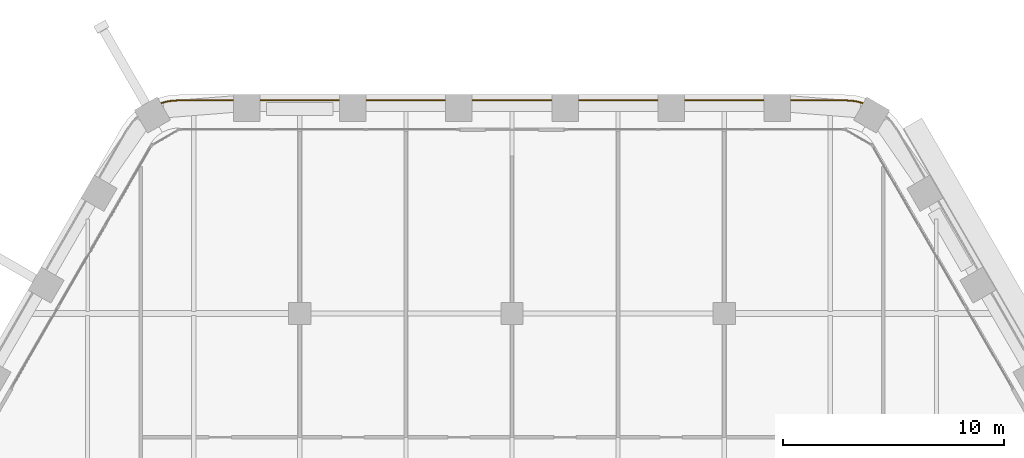
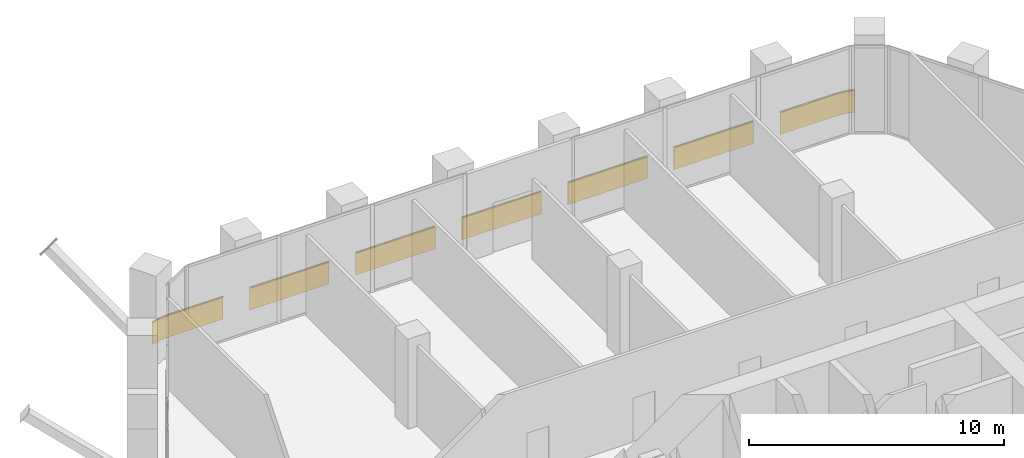
# One storey, part 27 of 27: 1 railing.
"""IFC4 building model written with IfcOpenShell, lengths in metres."""

from ifc_helpers import new_model, si_unit, direction, frame, frame_2d, origin, origin_2d, place, context, subcontext, project, spatial, rectangle, extrude, material, type_object, element, save


model = new_model("IFC4")

# Units and contexts
model_context = context("Model", 3, precision=1e-05, world=origin(), true_north=direction((0.0, 1.0)))
body_context = subcontext(model_context, "Body", "Model", "MODEL_VIEW")
ifc_project = project(units=[si_unit("LENGTHUNIT", "METRE"), si_unit("AREAUNIT", "SQUARE_METRE"), si_unit("VOLUMEUNIT", "CUBIC_METRE"), si_unit("PLANEANGLEUNIT", "RADIAN"), si_unit("MASSUNIT", "GRAM", prefix="KILO")], contexts=[model_context])

# Site, building, storey
site_placement = place(None, origin())
site = spatial("IfcSite", under=ifc_project, at=site_placement, CompositionType="ELEMENT")
building_placement = place(site_placement, origin())
building = spatial("IfcBuilding", under=site, at=building_placement, Name="Kolab Exchange Tower", CompositionType="ELEMENT")
storey_placement = place(building_placement, frame((0.0, 0.0, 118.39990234375)))
storey = spatial("IfcBuildingStorey", under=building, at=storey_placement, Name="L23", CompositionType="ELEMENT", Elevation=118.39990234375)

# Railing
ifc_material = material(Name="Steel S235", Category="steel")
railing_type = type_object("IfcRailingType", Name="GUARD 1100 GLASS BALUSTRADE AND STEEL TOP RAIL", PredefinedType="GUARDRAIL", material=ifc_material)
railing_placement = place(storey_placement, frame((15.89208984375, 28.7138671875, 0.0)))
element("IfcRailing", 1, at=railing_placement, inside=storey, type_object=railing_type, Name="Guard", PredefinedType="GUARDRAIL", context=body_context, shape_type="SweptSolid", body=[
    extrude(rectangle(XDim=0.05, YDim=0.05, at=origin_2d()), frame((0.0, 0.0, 1.0751953125), z_axis=(-0.966008746817, 0.258509382951, 0.0), x_axis=(-0.258509382951, -0.966008746817, 0.0)), (0.0, 0.0, 1.0), 0.35888671875),
    extrude(rectangle(XDim=0.012, YDim=1.05009765625, at=frame_2d((0.0, 0.525146484375))), frame((0.0, 0.0, 0.0), z_axis=(-0.966008746817, 0.258509382951, 0.0), x_axis=(-0.258509382951, -0.966008746817, 0.0)), (0.0, 0.0, 1.0), 0.35888671875),
    extrude(rectangle(XDim=0.05, YDim=0.05, at=origin_2d()), frame((-0.3466796875, 0.0927734375, 1.0751953125), z_axis=(-0.996200348447, 0.087091134757, 0.0), x_axis=(-0.087091134757, -0.996200348447, 0.0)), (0.0, 0.0, 1.0), 0.479248046875),
    extrude(rectangle(XDim=0.012, YDim=1.05009765625, at=frame_2d((0.0, 0.525146484375))), frame((-0.3466796875, 0.0927734375, 0.0), z_axis=(-0.996200348447, 0.087091134757, 0.0), x_axis=(-0.087091134757, -0.996200348447, 0.0)), (0.0, 0.0, 1.0), 0.479248046875),
    extrude(rectangle(XDim=0.05, YDim=0.05, at=origin_2d()), frame((-0.82421875, 0.134521484375, 1.0751953125), z_axis=(-1.0, 0.0, 0.0), x_axis=(0.0, -1.0, 0.0)), (0.0, 0.0, 1.0), 2.4677734375),
    extrude(rectangle(XDim=0.012, YDim=1.05009765625, at=frame_2d((0.0, 0.525146484375))), frame((-0.82421875, 0.134521484375, 0.0), z_axis=(-1.0, 0.0, 0.0), x_axis=(0.0, -1.0, 0.0)), (0.0, 0.0, 1.0), 2.4677734375),
    extrude(rectangle(XDim=0.05, YDim=0.05, at=origin_2d()), frame((-4.4921875, 0.134521484375, 1.0751953125), z_axis=(-1.0, 0.0, 0.0), x_axis=(0.0, -1.0, 0.0)), (0.0, 0.0, 1.0), 3.599853515625),
    extrude(rectangle(XDim=0.012, YDim=1.05009765625, at=frame_2d((0.0, 0.525146484375))), frame((-4.4921875, 0.134521484375, 0.0), z_axis=(-1.0, 0.0, 0.0), x_axis=(0.0, -1.0, 0.0)), (0.0, 0.0, 1.0), 3.599853515625),
    extrude(rectangle(XDim=0.05, YDim=0.05, at=origin_2d()), frame((-9.2919921875, 0.134521484375, 1.0751953125), z_axis=(-1.0, 0.0, 0.0), x_axis=(0.0, -1.0, 0.0)), (0.0, 0.0, 1.0), 3.60009765625),
    extrude(rectangle(XDim=0.012, YDim=1.05009765625, at=frame_2d((0.0, 0.525146484375))), frame((-9.2919921875, 0.134521484375, 0.0), z_axis=(-1.0, 0.0, 0.0), x_axis=(0.0, -1.0, 0.0)), (0.0, 0.0, 1.0), 3.60009765625),
    extrude(rectangle(XDim=0.05, YDim=0.05, at=origin_2d()), frame((-14.092041015625, 0.134521484375, 1.0751953125), z_axis=(-1.0, 0.0, 0.0), x_axis=(0.0, -1.0, 0.0)), (0.0, 0.0, 1.0), 3.60009765625),
    extrude(rectangle(XDim=0.012, YDim=1.05009765625, at=frame_2d((0.0, 0.525146484375))), frame((-14.092041015625, 0.134521484375, 0.0), z_axis=(-1.0, 0.0, 0.0), x_axis=(0.0, -1.0, 0.0)), (0.0, 0.0, 1.0), 3.60009765625),
    extrude(rectangle(XDim=0.05, YDim=0.05, at=origin_2d()), frame((-18.89208984375, 0.134521484375, 1.0751953125), z_axis=(-1.0, 0.0, 0.0), x_axis=(0.0, -1.0, 0.0)), (0.0, 0.0, 1.0), 3.60009765625),
    extrude(rectangle(XDim=0.012, YDim=1.05009765625, at=frame_2d((0.0, 0.525146484375))), frame((-18.89208984375, 0.134521484375, 0.0), z_axis=(-1.0, 0.0, 0.0), x_axis=(0.0, -1.0, 0.0)), (0.0, 0.0, 1.0), 3.60009765625),
    extrude(rectangle(XDim=0.05, YDim=0.05, at=origin_2d()), frame((-23.692138671875, 0.134521484375, 1.0751953125), z_axis=(-1.0, 0.0, 0.0), x_axis=(0.0, -1.0, 0.0)), (0.0, 0.0, 1.0), 3.599853515625),
    extrude(rectangle(XDim=0.012, YDim=1.05009765625, at=frame_2d((0.0, 0.525146484375))), frame((-23.692138671875, 0.134521484375, 0.0), z_axis=(-1.0, 0.0, 0.0), x_axis=(0.0, -1.0, 0.0)), (0.0, 0.0, 1.0), 3.599853515625),
    extrude(rectangle(XDim=0.05, YDim=0.05, at=origin_2d()), frame((-28.4921875, 0.134521484375, 1.0751953125), z_axis=(-1.0, 0.0, 0.0), x_axis=(0.0, -1.0, 0.0)), (0.0, 0.0, 1.0), 2.4677734375),
    extrude(rectangle(XDim=0.012, YDim=1.05009765625, at=frame_2d((0.0, 0.525146484375))), frame((-28.4921875, 0.134521484375, 0.0), z_axis=(-1.0, 0.0, 0.0), x_axis=(0.0, -1.0, 0.0)), (0.0, 0.0, 1.0), 2.4677734375),
    extrude(rectangle(XDim=0.05, YDim=0.05, at=origin_2d()), frame((-30.9599609375, 0.134521484375, 1.0751953125), z_axis=(-0.996200348447, -0.087091134757, 0.0), x_axis=(0.087091134757, -0.996200348447, 0.0)), (0.0, 0.0, 1.0), 0.479248046875),
    extrude(rectangle(XDim=0.012, YDim=1.05009765625, at=frame_2d((0.0, 0.525146484375))), frame((-30.9599609375, 0.134521484375, 0.0), z_axis=(-0.996200348447, -0.087091134757, 0.0), x_axis=(0.087091134757, -0.996200348447, 0.0)), (0.0, 0.0, 1.0), 0.479248046875),
    extrude(rectangle(XDim=0.05, YDim=0.05, at=origin_2d()), frame((-31.4375, 0.0927734375, 1.0751953125), z_axis=(-0.966008746817, -0.258509382951, 0.0), x_axis=(0.258509382951, -0.966008746817, 0.0)), (0.0, 0.0, 1.0), 0.35888671875),
    extrude(rectangle(XDim=0.012, YDim=1.05009765625, at=frame_2d((0.0, 0.525146484375))), frame((-31.4375, 0.0927734375, 0.0), z_axis=(-0.966008746817, -0.258509382951, 0.0), x_axis=(0.258509382951, -0.966008746817, 0.0)), (0.0, 0.0, 1.0), 0.35888671875),
])

save(model, "model.ifc")
